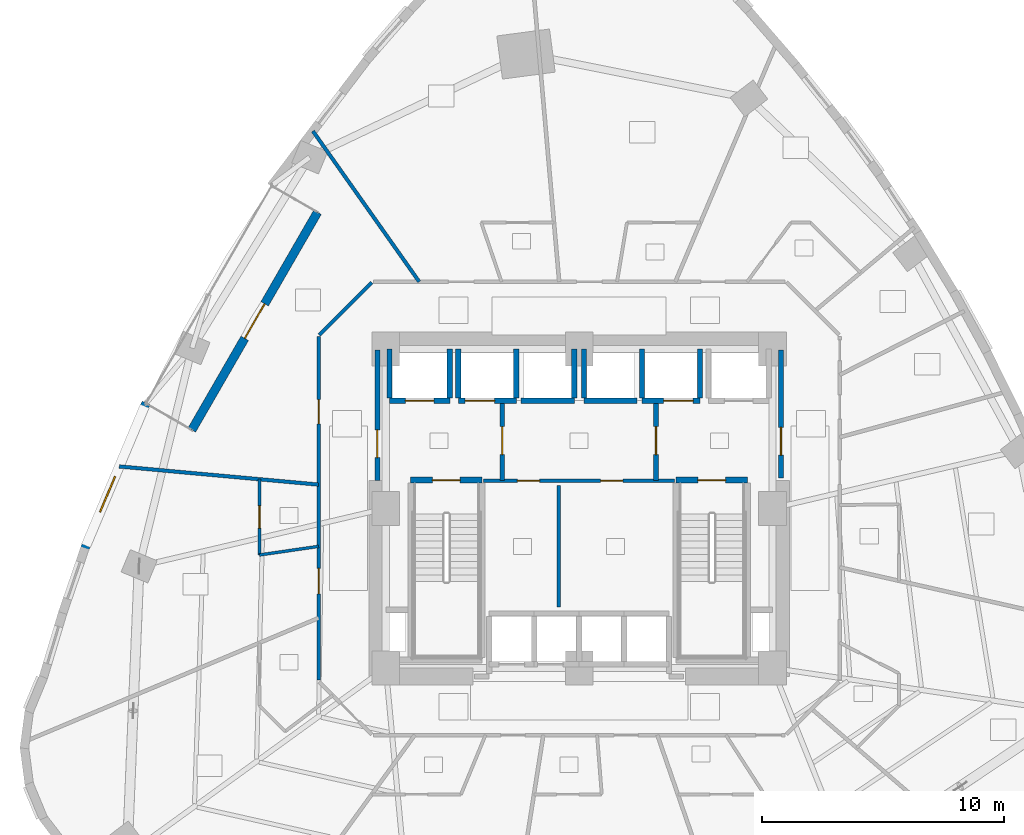
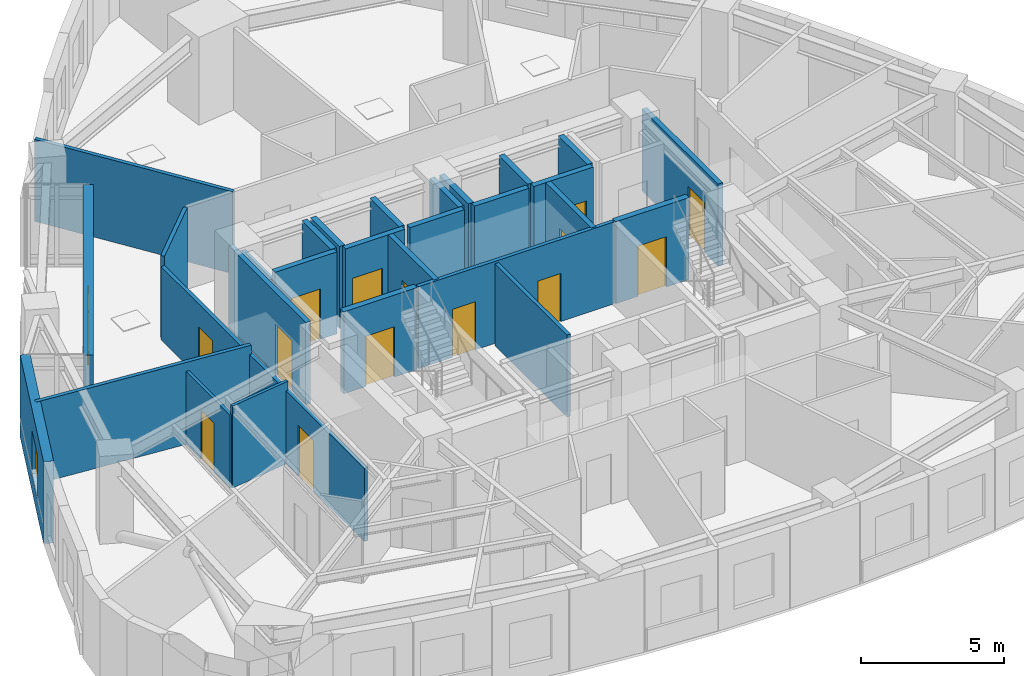
# One storey, part 7 of 13: 29 walls, 15 doors, 1 window, 16 openings.
"""IFC4 building model written with IfcOpenShell, lengths in metres."""

from ifc_helpers import new_model, si_unit, direction, frame, frame_2d, origin, place, context, subcontext, project, spatial, rectangle, extrude, material, layer, layer_set, type_object, element, fill, save


model = new_model("IFC4")

# Units and contexts
model_context = context("Model", 3, precision=1e-05, world=origin(), true_north=direction((0.0, 1.0)))
body_context = subcontext(model_context, "Body", "Model", "MODEL_VIEW")
ifc_project = project(units=[si_unit("LENGTHUNIT", "METRE"), si_unit("AREAUNIT", "SQUARE_METRE"), si_unit("VOLUMEUNIT", "CUBIC_METRE"), si_unit("PLANEANGLEUNIT", "RADIAN"), si_unit("MASSUNIT", "GRAM", prefix="KILO")], contexts=[model_context])

# Site, building, storey
site_placement = place(None, origin())
site = spatial("IfcSite", under=ifc_project, at=site_placement, CompositionType="ELEMENT")
building_placement = place(site_placement, origin())
building = spatial("IfcBuilding", under=site, at=building_placement, Name="Ndelora Gate Hotel", CompositionType="ELEMENT")
storey_placement = place(building_placement, frame((0.0, 0.0, 34.25)))
storey = spatial("IfcBuildingStorey", under=building, at=storey_placement, Name="L07", CompositionType="ELEMENT", Elevation=34.25)

# Wall, opening, door
ifc_material_1 = material(Name="Clay Brick Masonry", Category="masonry")
ifc_layer_1 = layer(ifc_material_1, 0.360107421875)
ifc_layer_set_1 = layer_set([ifc_layer_1], Name="Clay Brick Masonry")
wall_type_1 = type_object("IfcWallType", Name="WL-BRICK-360", PredefinedType="SOLIDWALL", material=ifc_layer_set_1)
wall_1_placement = place(storey_placement, frame((-16.02490234375, 3.24755859375, 0.0), z_axis=(0.0, 0.0, 1.0), x_axis=(0.499999493275, 0.866025696342, 0.0)))
wall_1 = element("IfcWall", 1, at=wall_1_placement, inside=storey, type_object=wall_type_1, Name="L07 Sky-Garden Loggia Rear Brick Wall", PredefinedType="SOLIDWALL", context=body_context, shape_type="SweptSolid", body=[
    extrude(rectangle(XDim=10.39990234375, YDim=0.360107421875, at=frame_2d((5.199951171875, 0.0))), origin(), (0.0, 0.0, 1.0), 3.5),
])
opening_1_placement = place(wall_1_placement, frame((4.375, 0.0, 0.0)))
opening_1 = element("IfcOpeningElement", 2, at=opening_1_placement, cuts=wall_1, Name="Opening TD1", PredefinedType="OPENING", context=body_context, shape_type="SweptSolid", body=[
    extrude(rectangle(XDim=1.64990234375, YDim=2.25, at=frame_2d((0.824951171875, 1.125))), frame((0.0, 0.18994140625, 0.0), z_axis=(0.0, -1.0, 0.0), x_axis=(1.0, 0.0, 0.0)), (0.0, 0.0, 1.0), 0.380126953125),
])
ifc_material_2 = material(Name="Architectural Bronze Glazed Door", Category="metal")
door_type_1 = type_object("IfcDoorType", Name="DR-TER-1650", OperationType="DOUBLE_DOOR_SINGLE_SWING", PredefinedType="DOOR", material=ifc_material_2)
door_1_placement = place(opening_1_placement, origin())
door_1 = element("IfcDoor", 3, at=door_1_placement, inside=storey, type_object=door_type_1, Name="L07 Sky-Garden Terrace Double Door TD1", OperationType="DOUBLE_DOOR_SINGLE_SWING", OverallHeight=2.25, OverallWidth=1.64990234375, PredefinedType="DOOR", context=body_context, shape_type="SweptSolid", body=[
    extrude(rectangle(XDim=1.64990234375, YDim=2.25, at=frame_2d((0.824951171875, 1.125))), frame((0.0, 0.02490234375, 0.0), z_axis=(0.0, -1.0, 0.0), x_axis=(1.0, 0.0, 0.0)), (0.0, 0.0, 1.0), 0.050048828125),
])
fill(opening_1, door_1)

# Wall, opening, window
wall_2_placement = place(storey_placement, frame((-20.46630859375, -1.681640625, 0.0), z_axis=(0.0, 0.0, 1.0), x_axis=(0.387744465456, 0.921766906277, 0.0)))
wall_2 = element("IfcWall", 4, at=wall_2_placement, inside=storey, type_object=wall_type_1, Name="L07 Tower Brick Pier-and-Spandrel Wall TWR-16", PredefinedType="SOLIDWALL", context=body_context, shape_type="SweptSolid", body=[
    extrude(rectangle(XDim=6.56591796875, YDim=0.360107421875, at=frame_2d((3.282958984375, 0.0))), origin(), (0.0, 0.0, 1.0), 3.5),
])
opening_2_placement = place(wall_2_placement, frame((1.659912109375, 0.0, 0.719970703125)))
opening_2 = element("IfcOpeningElement", 5, at=opening_2_placement, cuts=wall_2, Name="Opening W01", PredefinedType="OPENING", context=body_context, shape_type="SweptSolid", body=[
    extrude(rectangle(XDim=1.60009765625, YDim=1.8798828125, at=frame_2d((0.800048828125, 0.93994140625))), frame((0.0, 0.18994140625, 0.0), z_axis=(0.0, -1.0, 0.0), x_axis=(1.0, 0.0, 0.0)), (0.0, 0.0, 1.0), 0.380126953125),
])
ifc_material_3 = material(Name="Insulated Low-E Double Glazing in Bronze Aluminium Frame", Category="aluminium")
window_type = type_object("IfcWindowType", Name="WN-DEEP-1600", PartitioningType="SINGLE_PANEL", PredefinedType="WINDOW", material=ifc_material_3)
window_placement = place(opening_2_placement, origin())
window = element("IfcWindow", 6, at=window_placement, inside=storey, type_object=window_type, Name="L07 Deep-Set Brick-Pier Window W01", OverallHeight=1.8798828125, OverallWidth=1.60009765625, PartitioningType="SINGLE_PANEL", PredefinedType="WINDOW", context=body_context, shape_type="SweptSolid", body=[
    extrude(rectangle(XDim=1.60009765625, YDim=1.8798828125, at=frame_2d((0.800048828125, 0.93994140625))), frame((0.0, 0.030029296875, 0.0), z_axis=(0.0, -1.0, 0.0), x_axis=(1.0, 0.0, 0.0)), (0.0, 0.0, 1.0), 0.06005859375),
])
fill(opening_2, window)

# Wall, opening, door
ifc_material_4 = material(Name="Concrete C40/50", Category="concrete")
ifc_layer_2 = layer(ifc_material_4, 0.199951171875)
ifc_layer_set_2 = layer_set([ifc_layer_2], Name="Concrete C40/50")
wall_type_2 = type_object("IfcWallType", Name="WL-FIRE-200", PredefinedType="PARTITIONING", material=ifc_layer_set_2)
wall_3_placement = place(storey_placement, frame((-3.179931640625, 1.14990234375, 0.0), z_axis=(0.0, 0.0, 1.0), x_axis=(0.0, 1.0, 0.0)))
wall_3 = element("IfcWall", 7, at=wall_3_placement, inside=storey, type_object=wall_type_2, Name="L07 Interior Wall IW-2", PredefinedType="PARTITIONING", context=body_context, shape_type="SweptSolid", body=[
    extrude(rectangle(XDim=3.300048828125, YDim=0.199951171875, at=frame_2d((1.64990234375, 0.0))), origin(), (0.0, 0.0, 1.0), 3.5),
])
opening_3_placement = place(wall_3_placement, frame((1.080078125, 0.0, 0.0)))
opening_3 = element("IfcOpeningElement", 8, at=opening_3_placement, cuts=wall_3, Name="Opening FD1", PredefinedType="OPENING", context=body_context, shape_type="SweptSolid", body=[
    extrude(rectangle(XDim=1.14990234375, YDim=2.14990234375, at=frame_2d((0.574951171875, 1.074951171875))), frame((0.0, 0.10986328125, 0.0), z_axis=(0.0, -1.0, 0.0), x_axis=(1.0, 0.0, 0.0)), (0.0, 0.0, 1.0), 0.219970703125),
])
ifc_material_5 = material(Name="Fire-Rated Timber-Veneer Steel Core", Category="steel")
door_type_2 = type_object("IfcDoorType", Name="DR-FD60", OperationType="SINGLE_SWING_LEFT", PredefinedType="DOOR", material=ifc_material_5)
door_2_placement = place(opening_3_placement, origin())
door_2 = element("IfcDoor", 9, at=door_2_placement, inside=storey, type_object=door_type_2, Name="L07 Firefighting Lobby West Door", OperationType="SINGLE_SWING_RIGHT", OverallHeight=2.14990234375, OverallWidth=1.14990234375, PredefinedType="DOOR", context=body_context, shape_type="SweptSolid", body=[
    extrude(rectangle(XDim=1.14990234375, YDim=2.14990234375, at=frame_2d((0.574951171875, 1.074951171875))), frame((0.0, 0.02490234375, 0.0), z_axis=(0.0, -1.0, 0.0), x_axis=(1.0, 0.0, 0.0)), (0.0, 0.0, 1.0), 0.050048828125),
])
fill(opening_3, door_2)

wall_4_placement = place(storey_placement, frame((3.179931640625, 1.14990234375, 0.0), z_axis=(0.0, 0.0, 1.0), x_axis=(0.0, 1.0, 0.0)))
wall_4 = element("IfcWall", 10, at=wall_4_placement, inside=storey, type_object=wall_type_2, Name="L07 Interior Wall IW-2", PredefinedType="PARTITIONING", context=body_context, shape_type="SweptSolid", body=[
    extrude(rectangle(XDim=3.300048828125, YDim=0.199951171875, at=frame_2d((1.64990234375, 0.0))), origin(), (0.0, 0.0, 1.0), 3.5),
])
opening_4_placement = place(wall_4_placement, frame((1.080078125, 0.0, 0.0)))
opening_4 = element("IfcOpeningElement", 11, at=opening_4_placement, cuts=wall_4, Name="Opening FD1", PredefinedType="OPENING", context=body_context, shape_type="SweptSolid", body=[
    extrude(rectangle(XDim=1.14990234375, YDim=2.14990234375, at=frame_2d((0.574951171875, 1.074951171875))), frame((0.0, 0.10986328125, 0.0), z_axis=(0.0, -1.0, 0.0), x_axis=(1.0, 0.0, 0.0)), (0.0, 0.0, 1.0), 0.219970703125),
])
door_3_placement = place(opening_4_placement, origin())
door_3 = element("IfcDoor", 12, at=door_3_placement, inside=storey, type_object=door_type_2, Name="L07 Firefighting Lobby East Door", OperationType="SINGLE_SWING_LEFT", OverallHeight=2.14990234375, OverallWidth=1.14990234375, PredefinedType="DOOR", context=body_context, shape_type="SweptSolid", body=[
    extrude(rectangle(XDim=1.14990234375, YDim=2.14990234375, at=frame_2d((0.574951171875, 1.074951171875))), frame((0.0, 0.02490234375, 0.0), z_axis=(0.0, -1.0, 0.0), x_axis=(1.0, 0.0, 0.0)), (0.0, 0.0, 1.0), 0.050048828125),
])
fill(opening_4, door_3)

wall_5_placement = place(storey_placement, frame((-8.35009765625, 1.14990234375, 0.0), z_axis=(0.0, 0.0, 1.0), x_axis=(0.0, 1.0, 0.0)))
wall_5 = element("IfcWall", 13, at=wall_5_placement, inside=storey, type_object=wall_type_2, Name="L07 Interior Wall IW-2", PredefinedType="PARTITIONING", context=body_context, shape_type="SweptSolid", body=[
    extrude(rectangle(XDim=5.400146484375, YDim=0.199951171875, at=frame_2d((2.7001953125, 0.0))), origin(), (0.0, 0.0, 1.0), 3.5),
])
opening_5_placement = place(wall_5_placement, frame((0.949951171875, 0.0, 0.0)))
opening_5 = element("IfcOpeningElement", 14, at=opening_5_placement, cuts=wall_5, Name="Opening FD1", PredefinedType="OPENING", context=body_context, shape_type="SweptSolid", body=[
    extrude(rectangle(XDim=1.14990234375, YDim=2.14990234375, at=frame_2d((0.574951171875, 1.074951171875))), frame((0.0, 0.10986328125, 0.0), z_axis=(0.0, -1.0, 0.0), x_axis=(1.0, 0.0, 0.0)), (0.0, 0.0, 1.0), 0.219970703125),
])
door_4_placement = place(opening_5_placement, origin())
door_4 = element("IfcDoor", 15, at=door_4_placement, inside=storey, type_object=door_type_2, Name="L07 Firefighting Lobby West Corridor Door", OperationType="SINGLE_SWING_LEFT", OverallHeight=2.14990234375, OverallWidth=1.14990234375, PredefinedType="DOOR", context=body_context, shape_type="SweptSolid", body=[
    extrude(rectangle(XDim=1.14990234375, YDim=2.14990234375, at=frame_2d((0.574951171875, 1.074951171875))), frame((0.0, 0.02490234375, 0.0), z_axis=(0.0, -1.0, 0.0), x_axis=(1.0, 0.0, 0.0)), (0.0, 0.0, 1.0), 0.050048828125),
])
fill(opening_5, door_4)

wall_6_placement = place(storey_placement, frame((8.35009765625, 1.25, 0.0), z_axis=(0.0, 0.0, 1.0), x_axis=(0.0, 1.0, 0.0)))
wall_6 = element("IfcWall", 16, at=wall_6_placement, inside=storey, type_object=wall_type_2, Name="L07 Interior Wall IW-2", PredefinedType="PARTITIONING", context=body_context, shape_type="SweptSolid", body=[
    extrude(rectangle(XDim=5.300048828125, YDim=0.199951171875, at=frame_2d((2.64990234375, 0.0))), origin(), (0.0, 0.0, 1.0), 3.5),
])
opening_6_placement = place(wall_6_placement, frame((0.949951171875, 0.0, 0.0)))
opening_6 = element("IfcOpeningElement", 17, at=opening_6_placement, cuts=wall_6, Name="Opening FD1", PredefinedType="OPENING", context=body_context, shape_type="SweptSolid", body=[
    extrude(rectangle(XDim=1.14990234375, YDim=2.14990234375, at=frame_2d((0.574951171875, 1.074951171875))), frame((0.0, 0.10986328125, 0.0), z_axis=(0.0, -1.0, 0.0), x_axis=(1.0, 0.0, 0.0)), (0.0, 0.0, 1.0), 0.219970703125),
])
door_5_placement = place(opening_6_placement, origin())
door_5 = element("IfcDoor", 18, at=door_5_placement, inside=storey, type_object=door_type_2, Name="L07 Firefighting Lobby East Corridor Door", OperationType="SINGLE_SWING_RIGHT", OverallHeight=2.14990234375, OverallWidth=1.14990234375, PredefinedType="DOOR", context=body_context, shape_type="SweptSolid", body=[
    extrude(rectangle(XDim=1.14990234375, YDim=2.14990234375, at=frame_2d((0.574951171875, 1.074951171875))), frame((0.0, 0.02490234375, 0.0), z_axis=(0.0, -1.0, 0.0), x_axis=(1.0, 0.0, 0.0)), (0.0, 0.0, 1.0), 0.050048828125),
])
fill(opening_6, door_5)

# Wall, openings, doors
ifc_material_6 = material(Name="Fire-Rated Gypsum Stud Partition", Category="gypsum")
ifc_layer_3 = layer(ifc_material_6, 0.14990234375)
ifc_layer_set_3 = layer_set([ifc_layer_3], Name="Fire-Rated Gypsum Stud Partition")
wall_type_3 = type_object("IfcWallType", Name="WL-PART-150", PredefinedType="PARTITIONING", material=ifc_layer_set_3)
wall_7_placement = place(storey_placement, frame((3.949951171875, 1.14990234375, 0.0), z_axis=(0.0, 0.0, 1.0), x_axis=(-1.0, 0.0, 0.0)))
wall_7 = element("IfcWall", 19, at=wall_7_placement, inside=storey, type_object=wall_type_3, Name="L07 Interior Wall IW-5", PredefinedType="PARTITIONING", context=body_context, shape_type="SweptSolid", body=[
    extrude(rectangle(XDim=7.89990234375, YDim=0.14990234375, at=frame_2d((3.949951171875, 0.0))), origin(), (0.0, 0.0, 1.0), 3.5),
])
opening_7_placement = place(wall_7_placement, frame((5.590087890625, 0.0, 0.0)))
opening_7 = element("IfcOpeningElement", 20, at=opening_7_placement, cuts=wall_7, Name="Opening D04", PredefinedType="OPENING", context=body_context, shape_type="SweptSolid", body=[
    extrude(rectangle(XDim=0.919921875, YDim=2.050048828125, at=frame_2d((0.4599609375, 1.02490234375))), frame((0.0, 0.0849609375, 0.0), z_axis=(0.0, -1.0, 0.0), x_axis=(1.0, 0.0, 0.0)), (0.0, 0.0, 1.0), 0.169921875),
])
opening_8_placement = place(wall_7_placement, frame((2.139892578125, 0.0, 0.0)))
opening_8 = element("IfcOpeningElement", 21, at=opening_8_placement, cuts=wall_7, Name="Opening D04", PredefinedType="OPENING", context=body_context, shape_type="SweptSolid", body=[
    extrude(rectangle(XDim=0.919921875, YDim=2.050048828125, at=frame_2d((0.4599609375, 1.02490234375))), frame((0.0, 0.0849609375, 0.0), z_axis=(0.0, -1.0, 0.0), x_axis=(1.0, 0.0, 0.0)), (0.0, 0.0, 1.0), 0.169921875),
])
ifc_material_7 = material(Name="Painted Steel Core Service Door", Category="steel")
door_type_3 = type_object("IfcDoorType", Name="DR-SER-920", OperationType="SINGLE_SWING_LEFT", PredefinedType="DOOR", material=ifc_material_7)
door_6_placement = place(opening_7_placement, origin())
door_6 = element("IfcDoor", 22, at=door_6_placement, inside=storey, type_object=door_type_3, Name="L07 Core Electrical Switchroom Door", OperationType="SINGLE_SWING_LEFT", OverallHeight=2.050048828125, OverallWidth=0.919921875, PredefinedType="DOOR", context=body_context, shape_type="SweptSolid", body=[
    extrude(rectangle(XDim=0.919921875, YDim=2.050048828125, at=frame_2d((0.4599609375, 1.02490234375))), frame((0.0, 0.02490234375, 0.0), z_axis=(0.0, -1.0, 0.0), x_axis=(1.0, 0.0, 0.0)), (0.0, 0.0, 1.0), 0.050048828125),
])
fill(opening_7, door_6)
door_7_placement = place(opening_8_placement, origin())
door_7 = element("IfcDoor", 23, at=door_7_placement, inside=storey, type_object=door_type_3, Name="L07 Central Linen Equipment Store Door", OperationType="SINGLE_SWING_RIGHT", OverallHeight=2.050048828125, OverallWidth=0.919921875, PredefinedType="DOOR", context=body_context, shape_type="SweptSolid", body=[
    extrude(rectangle(XDim=0.919921875, YDim=2.050048828125, at=frame_2d((0.4599609375, 1.02490234375))), frame((0.0, 0.02490234375, 0.0), z_axis=(0.0, -1.0, 0.0), x_axis=(1.0, 0.0, 0.0)), (0.0, 0.0, 1.0), 0.050048828125),
])
fill(opening_8, door_7)

# Walls
wall_8_placement = place(storey_placement, frame((-0.85009765625, -4.080078125, 0.0), z_axis=(0.0, 0.0, 1.0), x_axis=(0.0, 1.0, 0.0)))
element("IfcWall", 24, at=wall_8_placement, inside=storey, type_object=wall_type_3, Name="L07 Interior Wall IW-5", PredefinedType="PARTITIONING", context=body_context, shape_type="SweptSolid", body=[
    extrude(rectangle(XDim=5.030029296875, YDim=0.14990234375, at=frame_2d((2.51513671875, 0.0))), origin(), (0.0, 0.0, 1.0), 3.5),
])
wall_9_placement = place(storey_placement, frame((-10.751708984375, 7.17822265625, 0.0), z_axis=(0.0, 0.0, 1.0), x_axis=(0.707067066127, 0.707146494016, 0.0)))
element("IfcWall", 25, at=wall_9_placement, inside=storey, type_object=wall_type_3, Name="L07 Interior Wall IW-5", PredefinedType="PARTITIONING", context=body_context, shape_type="SweptSolid", body=[
    extrude(rectangle(XDim=3.07373046875, YDim=0.14990234375, at=frame_2d((1.536865234375, 0.0))), origin(), (0.0, 0.0, 1.0), 3.5),
])

# Wall, openings, doors
wall_10_placement = place(storey_placement, frame((-10.780029296875, -7.110107421875, 0.0), z_axis=(0.0, 0.0, 1.0), x_axis=(0.0, 1.0, 0.0)))
wall_10 = element("IfcWall", 26, at=wall_10_placement, inside=storey, type_object=wall_type_3, Name="L07 Interior Wall IW-5", PredefinedType="PARTITIONING", context=body_context, shape_type="SweptSolid", body=[
    extrude(rectangle(XDim=14.22021484375, YDim=0.14990234375, at=frame_2d((7.110107421875, 0.0))), origin(), (0.0, 0.0, 1.0), 3.1201171875),
])
opening_9_placement = place(wall_10_placement, frame((10.6064453125, 0.0, 0.0)))
opening_9 = element("IfcOpeningElement", 27, at=opening_9_placement, cuts=wall_10, Name="Opening D01", PredefinedType="OPENING", context=body_context, shape_type="SweptSolid", body=[
    extrude(rectangle(XDim=1.0, YDim=2.14990234375, at=frame_2d((0.5, 1.074951171875))), frame((0.0, 0.0849609375, 0.0), z_axis=(0.0, -1.0, 0.0), x_axis=(1.0, 0.0, 0.0)), (0.0, 0.0, 1.0), 0.169921875),
])
opening_10_placement = place(wall_10_placement, frame((3.56982421875, 0.0, 0.0)))
opening_10 = element("IfcOpeningElement", 28, at=opening_10_placement, cuts=wall_10, Name="Opening D07", PredefinedType="OPENING", context=body_context, shape_type="SweptSolid", body=[
    extrude(rectangle(XDim=1.06005859375, YDim=2.14990234375, at=frame_2d((0.530029296875, 1.074951171875))), frame((0.0, 0.0849609375, 0.0), z_axis=(0.0, -1.0, 0.0), x_axis=(1.0, 0.0, 0.0)), (0.0, 0.0, 1.0), 0.169921875),
])
ifc_material_8 = material(Name="Acoustic Hardwood Guest Entrance Door", Category="wood")
door_type_4 = type_object("IfcDoorType", Name="DR-COR-1000", OperationType="SINGLE_SWING_LEFT", PredefinedType="DOOR", material=ifc_material_8)
door_8_placement = place(opening_9_placement, origin())
door_8 = element("IfcDoor", 29, at=door_8_placement, inside=storey, type_object=door_type_4, Name="L07 Sky Garden Tea Dining Room Entrance Door", OperationType="SINGLE_SWING_LEFT", OverallHeight=2.14990234375, OverallWidth=1.0, PredefinedType="DOOR", context=body_context, shape_type="SweptSolid", body=[
    extrude(rectangle(XDim=1.0, YDim=2.14990234375, at=frame_2d((0.5, 1.074951171875))), frame((0.0, 0.02490234375, 0.0), z_axis=(0.0, -1.0, 0.0), x_axis=(1.0, 0.0, 0.0)), (0.0, 0.0, 1.0), 0.050048828125),
])
fill(opening_9, door_8)
ifc_material_9 = material(Name="Diplomatic Suite Acoustic Entrance Door", Category="wood")
door_type_5 = type_object("IfcDoorType", Name="DR-SUITE-1060", OperationType="SINGLE_SWING_LEFT", PredefinedType="DOOR", material=ifc_material_9)
door_9_placement = place(opening_10_placement, origin())
door_9 = element("IfcDoor", 30, at=door_9_placement, inside=storey, type_object=door_type_5, Name="L07 Deluxe King Junior Suite 1004 Entrance Door", OperationType="SINGLE_SWING_RIGHT", OverallHeight=2.14990234375, OverallWidth=1.06005859375, PredefinedType="DOOR", context=body_context, shape_type="SweptSolid", body=[
    extrude(rectangle(XDim=1.06005859375, YDim=2.14990234375, at=frame_2d((0.530029296875, 1.074951171875))), frame((0.0, 0.02490234375, 0.0), z_axis=(0.0, -1.0, 0.0), x_axis=(1.0, 0.0, 0.0)), (0.0, 0.0, 1.0), 0.050048828125),
])
fill(opening_10, door_9)

# Walls
wall_11_placement = place(storey_placement, frame((-6.619140625, 9.3798828125, 0.0), z_axis=(0.0, 0.0, 1.0), x_axis=(-0.576560044714, 0.817054780807, 0.0)))
element("IfcWall", 31, at=wall_11_placement, inside=storey, type_object=wall_type_3, Name="L07 Interior Wall IW-5", PredefinedType="PARTITIONING", context=body_context, shape_type="SweptSolid", body=[
    extrude(rectangle(XDim=7.6279296875, YDim=0.14990234375, at=frame_2d((3.81396484375, 0.0))), origin(), (0.0, 0.0, 1.0), 3.5),
])
wall_12_placement = place(storey_placement, frame((-10.780029296875, 0.98291015625, 0.0), z_axis=(0.0, 0.0, 1.0), x_axis=(-0.995868528088, 0.090806799107, 0.0)))
element("IfcWall", 32, at=wall_12_placement, inside=storey, type_object=wall_type_3, Name="L07 Interior Wall IW-5", PredefinedType="PARTITIONING", context=body_context, shape_type="SweptSolid", body=[
    extrude(rectangle(XDim=8.283447265625, YDim=0.14990234375, at=frame_2d((4.1416015625, 0.0))), origin(), (0.0, 0.0, 1.0), 3.5),
])

# Wall, opening, door
ifc_layer_4 = layer(ifc_material_4, 0.219970703125)
ifc_layer_set_4 = layer_set([ifc_layer_4], Name="Concrete C40/50")
wall_type_4 = type_object("IfcWallType", Name="WL-SHAFT-220", PredefinedType="PARTITIONING", material=ifc_layer_set_4)
wall_13_placement = place(storey_placement, frame((-7.85009765625, 4.449951171875, 0.0), z_axis=(0.0, 0.0, 1.0), x_axis=(1.0, 0.0, 0.0)))
wall_13 = element("IfcWall", 33, at=wall_13_placement, inside=storey, type_object=wall_type_4, Name="L07 Interior Wall IW-1", PredefinedType="PARTITIONING", context=body_context, shape_type="SweptSolid", body=[
    extrude(rectangle(XDim=2.5, YDim=0.219970703125, at=frame_2d((1.25, 0.0))), origin(), (0.0, 0.0, 1.0), 3.5),
])
opening_11_placement = place(wall_13_placement, frame((0.659912109375, 0.0, 0.0)))
opening_11 = element("IfcOpeningElement", 34, at=opening_11_placement, cuts=wall_13, Name="Opening LD5", PredefinedType="OPENING", context=body_context, shape_type="SweptSolid", body=[
    extrude(rectangle(XDim=1.179931640625, YDim=2.14990234375, at=frame_2d((0.58984375, 1.074951171875))), frame((0.0, 0.1201171875, 0.0), z_axis=(0.0, -1.0, 0.0), x_axis=(1.0, 0.0, 0.0)), (0.0, 0.0, 1.0), 0.239990234375),
])
ifc_material_10 = material(Name="Firefighting Lift Stainless Sliding Landing Door", Category="metal")
door_type_6 = type_object("IfcDoorType", Name="DR-LD5", OperationType="DOUBLE_DOOR_SLIDING", PredefinedType="DOOR", material=ifc_material_10)
door_10_placement = place(opening_11_placement, origin())
door_10 = element("IfcDoor", 35, at=door_10_placement, inside=storey, type_object=door_type_6, Name="L07 Lift Landing Sliding Door FFL1", OperationType="DOUBLE_DOOR_SLIDING", OverallHeight=2.14990234375, OverallWidth=1.179931640625, PredefinedType="DOOR", context=body_context, shape_type="SweptSolid", body=[
    extrude(rectangle(XDim=1.179931640625, YDim=2.14990234375, at=frame_2d((0.58984375, 1.074951171875))), frame((0.0, 0.02490234375, 0.0), z_axis=(0.0, -1.0, 0.0), x_axis=(1.0, 0.0, 0.0)), (0.0, 0.0, 1.0), 0.050048828125),
])
fill(opening_11, door_10)

# Walls
wall_14_placement = place(storey_placement, frame((-7.85009765625, 4.570068359375, 0.0), z_axis=(0.0, 0.0, 1.0), x_axis=(0.0, 1.0, 0.0)))
element("IfcWall", 36, at=wall_14_placement, inside=storey, type_object=wall_type_4, Name="L07 Interior Wall IW-1", PredefinedType="PARTITIONING", context=body_context, shape_type="SweptSolid", body=[
    extrude(rectangle(XDim=2.030029296875, YDim=0.219970703125, at=frame_2d((1.01513671875, 0.0))), origin(), (0.0, 0.0, 1.0), 3.080078125),
])
wall_15_placement = place(storey_placement, frame((-5.35009765625, 4.570068359375, 0.0), z_axis=(0.0, 0.0, 1.0), x_axis=(0.0, 1.0, 0.0)))
element("IfcWall", 37, at=wall_15_placement, inside=storey, type_object=wall_type_4, Name="L07 Interior Wall IW-1", PredefinedType="PARTITIONING", context=body_context, shape_type="SweptSolid", body=[
    extrude(rectangle(XDim=2.030029296875, YDim=0.219970703125, at=frame_2d((1.01513671875, 0.0))), origin(), (0.0, 0.0, 1.0), 3.5),
])

# Wall, opening, door
wall_16_placement = place(storey_placement, frame((-5.0, 4.449951171875, 0.0), z_axis=(0.0, 0.0, 1.0), x_axis=(1.0, 0.0, 0.0)))
wall_16 = element("IfcWall", 38, at=wall_16_placement, inside=storey, type_object=wall_type_4, Name="L07 Interior Wall IW-1", PredefinedType="PARTITIONING", context=body_context, shape_type="SweptSolid", body=[
    extrude(rectangle(XDim=2.39990234375, YDim=0.219970703125, at=frame_2d((1.199951171875, 0.0))), origin(), (0.0, 0.0, 1.0), 3.5),
])
opening_12_placement = place(wall_16_placement, frame((0.280029296875, 0.0, 0.0)))
opening_12 = element("IfcOpeningElement", 39, at=opening_12_placement, cuts=wall_16, Name="Opening LD6", PredefinedType="OPENING", context=body_context, shape_type="SweptSolid", body=[
    extrude(rectangle(XDim=1.219970703125, YDim=2.14990234375, at=frame_2d((0.60986328125, 1.074951171875))), frame((0.0, 0.1201171875, 0.0), z_axis=(0.0, -1.0, 0.0), x_axis=(1.0, 0.0, 0.0)), (0.0, 0.0, 1.0), 0.239990234375),
])
ifc_material_11 = material(Name="Heavy-Duty Service Lift Sliding Landing Door", Category="wood")
door_type_7 = type_object("IfcDoorType", Name="DR-LD6", OperationType="DOUBLE_DOOR_SLIDING", PredefinedType="DOOR", material=ifc_material_11)
door_11_placement = place(opening_12_placement, origin())
door_11 = element("IfcDoor", 40, at=door_11_placement, inside=storey, type_object=door_type_7, Name="L07 Lift Landing Sliding Door SVL1", OperationType="DOUBLE_DOOR_SLIDING", OverallHeight=2.14990234375, OverallWidth=1.219970703125, PredefinedType="DOOR", context=body_context, shape_type="SweptSolid", body=[
    extrude(rectangle(XDim=1.219970703125, YDim=2.14990234375, at=frame_2d((0.60986328125, 1.074951171875))), frame((0.0, 0.02490234375, 0.0), z_axis=(0.0, -1.0, 0.0), x_axis=(1.0, 0.0, 0.0)), (0.0, 0.0, 1.0), 0.050048828125),
])
fill(opening_12, door_11)

# Walls
for number, where, z_axis, x_axis, name in (
    (41, (-5.0, 4.570068359375, 0.0), (0.0, 0.0, 1.0), (0.0, 1.0, 0.0), "L07 Interior Wall IW-1"),
    (42, (-2.60009765625, 4.570068359375, 0.0), (0.0, 0.0, 1.0), (0.0, 1.0, 0.0), "L07 Interior Wall IW-1"),
):
    element("IfcWall", number, at=place(storey_placement, frame(where, z_axis=z_axis, x_axis=x_axis)), inside=storey, type_object=wall_type_4, Name=name, PredefinedType="PARTITIONING", context=body_context, shape_type="SweptSolid", body=[
        extrude(rectangle(XDim=2.030029296875, YDim=0.219970703125, at=frame_2d((1.01513671875, 0.0))), origin(), (0.0, 0.0, 1.0), 3.5),
    ])

# Wall, opening, door
wall_17_placement = place(storey_placement, frame((2.60009765625, 4.449951171875, 0.0), z_axis=(0.0, 0.0, 1.0), x_axis=(1.0, 0.0, 0.0)))
wall_17 = element("IfcWall", 43, at=wall_17_placement, inside=storey, type_object=wall_type_4, Name="L07 Interior Wall IW-1", PredefinedType="PARTITIONING", context=body_context, shape_type="SweptSolid", body=[
    extrude(rectangle(XDim=2.39990234375, YDim=0.219970703125, at=frame_2d((1.199951171875, 0.0))), origin(), (0.0, 0.0, 1.0), 3.5),
])
opening_13_placement = place(wall_17_placement, frame((0.89990234375, 0.0, 0.0)))
opening_13 = element("IfcOpeningElement", 44, at=opening_13_placement, cuts=wall_17, Name="Opening LD6", PredefinedType="OPENING", context=body_context, shape_type="SweptSolid", body=[
    extrude(rectangle(XDim=1.219970703125, YDim=2.14990234375, at=frame_2d((0.60986328125, 1.074951171875))), frame((0.0, 0.1201171875, 0.0), z_axis=(0.0, -1.0, 0.0), x_axis=(1.0, 0.0, 0.0)), (0.0, 0.0, 1.0), 0.239990234375),
])
door_12_placement = place(opening_13_placement, origin())
door_12 = element("IfcDoor", 45, at=door_12_placement, inside=storey, type_object=door_type_7, Name="L07 Lift Landing Sliding Door SVL2", OperationType="DOUBLE_DOOR_SLIDING", OverallHeight=2.14990234375, OverallWidth=1.219970703125, PredefinedType="DOOR", context=body_context, shape_type="SweptSolid", body=[
    extrude(rectangle(XDim=1.219970703125, YDim=2.14990234375, at=frame_2d((0.60986328125, 1.074951171875))), frame((0.0, 0.02490234375, 0.0), z_axis=(0.0, -1.0, 0.0), x_axis=(1.0, 0.0, 0.0)), (0.0, 0.0, 1.0), 0.050048828125),
])
fill(opening_13, door_12)

# Walls
for number, where, z_axis, x_axis, name in (
    (46, (2.60009765625, 4.570068359375, 0.0), (0.0, 0.0, 1.0), (0.0, 1.0, 0.0), "L07 Interior Wall IW-1"),
    (47, (5.0, 4.570068359375, 0.0), (0.0, 0.0, 1.0), (0.0, 1.0, 0.0), "L07 Interior Wall IW-1"),
):
    element("IfcWall", number, at=place(storey_placement, frame(where, z_axis=z_axis, x_axis=x_axis)), inside=storey, type_object=wall_type_4, Name=name, PredefinedType="PARTITIONING", context=body_context, shape_type="SweptSolid", body=[
        extrude(rectangle(XDim=2.030029296875, YDim=0.219970703125, at=frame_2d((1.01513671875, 0.0))), origin(), (0.0, 0.0, 1.0), 3.5),
    ])
wall_18_placement = place(storey_placement, frame((-2.39990234375, 4.449951171875, 0.0), z_axis=(0.0, 0.0, 1.0), x_axis=(1.0, 0.0, 0.0)))
element("IfcWall", 48, at=wall_18_placement, inside=storey, type_object=wall_type_4, Name="L07 Interior Wall IW-1", PredefinedType="PARTITIONING", context=body_context, shape_type="SweptSolid", body=[
    extrude(rectangle(XDim=2.199951171875, YDim=0.219970703125, at=frame_2d((1.10009765625, 0.0))), origin(), (0.0, 0.0, 1.0), 3.5),
])
wall_19_placement = place(storey_placement, frame((-0.199951171875, 4.570068359375, 0.0), z_axis=(0.0, 0.0, 1.0), x_axis=(0.0, 1.0, 0.0)))
element("IfcWall", 49, at=wall_19_placement, inside=storey, type_object=wall_type_4, Name="L07 Interior Wall IW-1", PredefinedType="PARTITIONING", context=body_context, shape_type="SweptSolid", body=[
    extrude(rectangle(XDim=2.030029296875, YDim=0.219970703125, at=frame_2d((1.01513671875, 0.0))), origin(), (0.0, 0.0, 1.0), 3.5),
])
wall_20_placement = place(storey_placement, frame((0.199951171875, 4.449951171875, 0.0), z_axis=(0.0, 0.0, 1.0), x_axis=(1.0, 0.0, 0.0)))
element("IfcWall", 50, at=wall_20_placement, inside=storey, type_object=wall_type_4, Name="L07 Interior Wall IW-1", PredefinedType="PARTITIONING", context=body_context, shape_type="SweptSolid", body=[
    extrude(rectangle(XDim=2.199951171875, YDim=0.219970703125, at=frame_2d((1.10009765625, 0.0))), origin(), (0.0, 0.0, 1.0), 3.5),
])
wall_21_placement = place(storey_placement, frame((0.199951171875, 4.570068359375, 0.0), z_axis=(0.0, 0.0, 1.0), x_axis=(0.0, 1.0, 0.0)))
element("IfcWall", 51, at=wall_21_placement, inside=storey, type_object=wall_type_4, Name="L07 Interior Wall IW-1", PredefinedType="PARTITIONING", context=body_context, shape_type="SweptSolid", body=[
    extrude(rectangle(XDim=2.030029296875, YDim=0.219970703125, at=frame_2d((1.01513671875, 0.0))), origin(), (0.0, 0.0, 1.0), 3.5),
])

# Wall, opening, door
ifc_material_12 = material(Name="Concrete C50/60", Category="concrete")
ifc_layer_5 = layer(ifc_material_12, 0.239990234375)
ifc_layer_set_5 = layer_set([ifc_layer_5], Name="Concrete C50/60")
wall_type_5 = type_object("IfcWallType", Name="WL-STAIR-240", PredefinedType="SHEAR", material=ifc_layer_set_5)
wall_22_placement = place(storey_placement, frame((-6.969970703125, 1.169921875, 0.0), z_axis=(0.0, 0.0, 1.0), x_axis=(1.0, 0.0, 0.0)))
wall_22 = element("IfcWall", 52, at=wall_22_placement, inside=storey, type_object=wall_type_5, Name="L07 Stair Core Shear Wall SW-ST", PredefinedType="SHEAR", context=body_context, shape_type="SweptSolid", body=[
    extrude(rectangle(XDim=2.9599609375, YDim=0.239990234375, at=frame_2d((1.47998046875, 0.0))), origin(), (0.0, 0.0, 1.0), 3.5),
])
opening_14_placement = place(wall_22_placement, frame((0.89990234375, 0.0, 0.0)))
opening_14 = element("IfcOpeningElement", 53, at=opening_14_placement, cuts=wall_22, Name="Opening FD1", PredefinedType="OPENING", context=body_context, shape_type="SweptSolid", body=[
    extrude(rectangle(XDim=1.14990234375, YDim=2.14990234375, at=frame_2d((0.574951171875, 1.074951171875))), frame((0.0, 0.1298828125, 0.0), z_axis=(0.0, -1.0, 0.0), x_axis=(1.0, 0.0, 0.0)), (0.0, 0.0, 1.0), 0.260009765625),
])
door_13_placement = place(opening_14_placement, origin())
door_13 = element("IfcDoor", 54, at=door_13_placement, inside=storey, type_object=door_type_2, Name="L07 Exit Stair ST4 Door", OperationType="SINGLE_SWING_LEFT", OverallHeight=2.14990234375, OverallWidth=1.14990234375, PredefinedType="DOOR", context=body_context, shape_type="SweptSolid", body=[
    extrude(rectangle(XDim=1.14990234375, YDim=2.14990234375, at=frame_2d((0.574951171875, 1.074951171875))), frame((0.0, 0.02490234375, 0.0), z_axis=(0.0, -1.0, 0.0), x_axis=(1.0, 0.0, 0.0)), (0.0, 0.0, 1.0), 0.050048828125),
])
fill(opening_14, door_13)

wall_23_placement = place(storey_placement, frame((4.010009765625, 1.169921875, 0.0), z_axis=(0.0, 0.0, 1.0), x_axis=(1.0, 0.0, 0.0)))
wall_23 = element("IfcWall", 55, at=wall_23_placement, inside=storey, type_object=wall_type_5, Name="L07 Stair Core Shear Wall SW-ST", PredefinedType="SHEAR", context=body_context, shape_type="SweptSolid", body=[
    extrude(rectangle(XDim=2.9599609375, YDim=0.239990234375, at=frame_2d((1.47998046875, 0.0))), origin(), (0.0, 0.0, 1.0), 3.5),
])
opening_15_placement = place(wall_23_placement, frame((0.89990234375, 0.0, 0.0)))
opening_15 = element("IfcOpeningElement", 56, at=opening_15_placement, cuts=wall_23, Name="Opening FD1", PredefinedType="OPENING", context=body_context, shape_type="SweptSolid", body=[
    extrude(rectangle(XDim=1.14990234375, YDim=2.14990234375, at=frame_2d((0.574951171875, 1.074951171875))), frame((0.0, 0.1298828125, 0.0), z_axis=(0.0, -1.0, 0.0), x_axis=(1.0, 0.0, 0.0)), (0.0, 0.0, 1.0), 0.260009765625),
])
door_14_placement = place(opening_15_placement, origin())
door_14 = element("IfcDoor", 57, at=door_14_placement, inside=storey, type_object=door_type_2, Name="L07 Exit Stair ST5 Door", OperationType="SINGLE_SWING_RIGHT", OverallHeight=2.14990234375, OverallWidth=1.14990234375, PredefinedType="DOOR", context=body_context, shape_type="SweptSolid", body=[
    extrude(rectangle(XDim=1.14990234375, YDim=2.14990234375, at=frame_2d((0.574951171875, 1.074951171875))), frame((0.0, 0.02490234375, 0.0), z_axis=(0.0, -1.0, 0.0), x_axis=(1.0, 0.0, 0.0)), (0.0, 0.0, 1.0), 0.050048828125),
])
fill(opening_15, door_14)

# Wall
ifc_material_13 = material(Name="Moisture-Resistant Bathroom Tile Partition", Category="gypsum")
ifc_layer_6 = layer(ifc_material_13, 0.1201171875)
ifc_layer_set_6 = layer_set([ifc_layer_6], Name="Moisture-Resistant Bathroom Tile Partition")
wall_type_6 = type_object("IfcWallType", Name="WL-WET-120", PredefinedType="PARTITIONING", material=ifc_layer_set_6)
wall_24_placement = place(storey_placement, frame((-10.780029296875, -1.57080078125, 0.0), z_axis=(0.0, 0.0, 1.0), x_axis=(-0.989553213028, -0.144168091425, 0.0)))
element("IfcWall", 58, at=wall_24_placement, inside=storey, type_object=wall_type_6, Name="L07 Interior Wall IW-7", PredefinedType="PARTITIONING", context=body_context, shape_type="SweptSolid", body=[
    extrude(rectangle(XDim=2.475830078125, YDim=0.1201171875, at=frame_2d((1.23779296875, 0.0))), origin(), (0.0, 0.0, 1.0), 3.5),
])

# Wall, opening, door
wall_25_placement = place(storey_placement, frame((-13.22998046875, -1.927734375, 0.0), z_axis=(0.0, 0.0, 1.0), x_axis=(0.0, 1.0, 0.0)))
wall_25 = element("IfcWall", 59, at=wall_25_placement, inside=storey, type_object=wall_type_6, Name="L07 Interior Wall IW-7", PredefinedType="PARTITIONING", context=body_context, shape_type="SweptSolid", body=[
    extrude(rectangle(XDim=3.134033203125, YDim=0.1201171875, at=frame_2d((1.56689453125, 0.0))), origin(), (0.0, 0.0, 1.0), 3.1201171875),
])
opening_16_placement = place(wall_25_placement, frame((1.107177734375, 0.0, 0.0)))
opening_16 = element("IfcOpeningElement", 60, at=opening_16_placement, cuts=wall_25, Name="Opening D03", PredefinedType="OPENING", context=body_context, shape_type="SweptSolid", body=[
    extrude(rectangle(XDim=0.919921875, YDim=2.10009765625, at=frame_2d((0.4599609375, 1.050048828125))), frame((0.0, 0.070068359375, 0.0), z_axis=(0.0, -1.0, 0.0), x_axis=(1.0, 0.0, 0.0)), (0.0, 0.0, 1.0), 0.14013671875),
])
ifc_material_14 = material(Name="Moisture-Resistant Hardwood En-Suite Door", Category="wood")
door_type_8 = type_object("IfcDoorType", Name="DR-BATH-920", OperationType="SINGLE_SWING_LEFT", PredefinedType="DOOR", material=ifc_material_14)
door_15_placement = place(opening_16_placement, origin())
door_15 = element("IfcDoor", 61, at=door_15_placement, inside=storey, type_object=door_type_8, Name="L07 En-suite Bathroom 1004 Door", OperationType="SINGLE_SWING_LEFT", OverallHeight=2.10009765625, OverallWidth=0.919921875, PredefinedType="DOOR", context=body_context, shape_type="SweptSolid", body=[
    extrude(rectangle(XDim=0.919921875, YDim=2.10009765625, at=frame_2d((0.4599609375, 1.050048828125))), frame((0.0, 0.02490234375, 0.0), z_axis=(0.0, -1.0, 0.0), x_axis=(1.0, 0.0, 0.0)), (0.0, 0.0, 1.0), 0.050048828125),
])
fill(opening_16, door_15)

save(model, "model.ifc")
